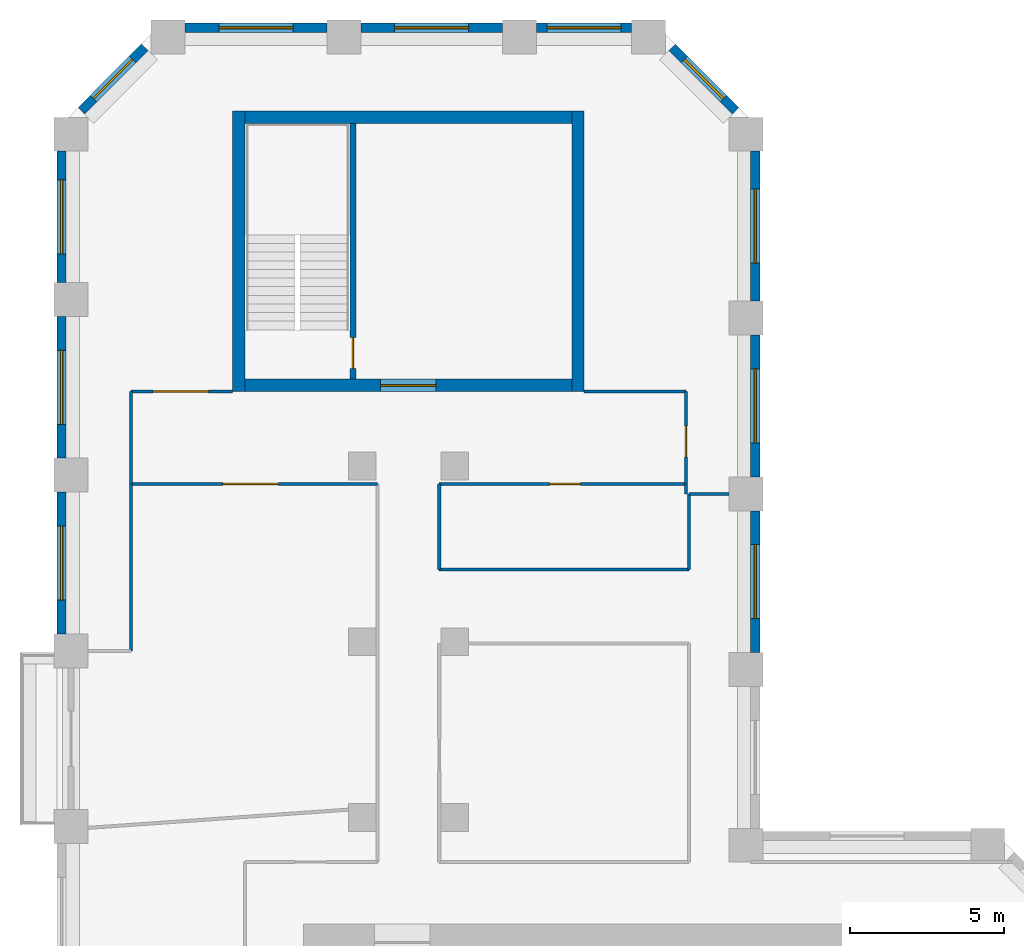
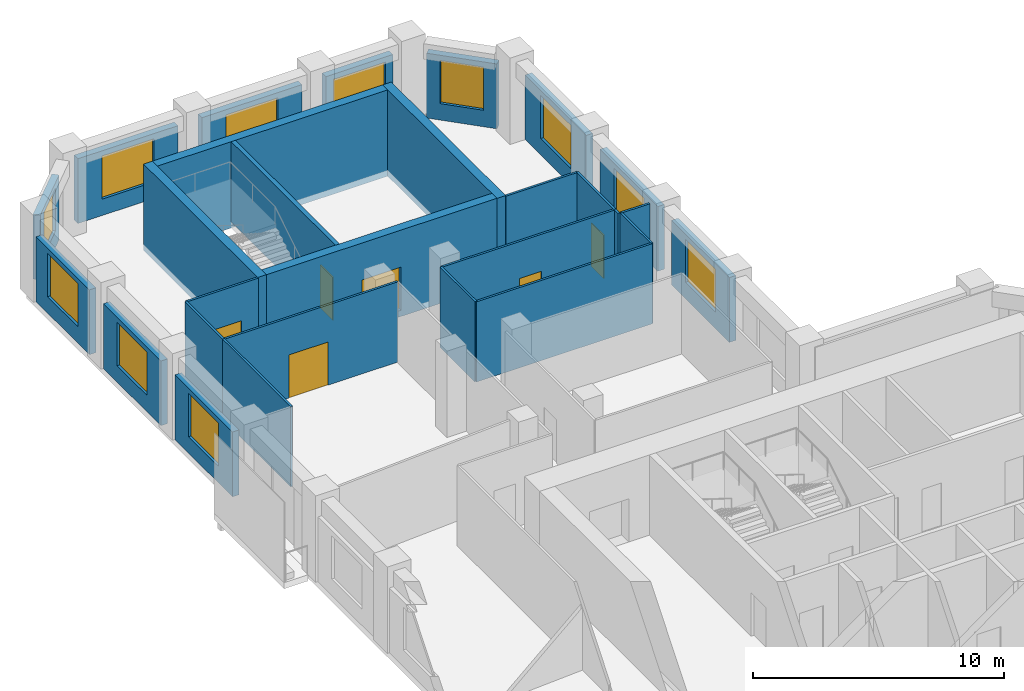
# One storey, part 8 of 10: 28 walls, 11 windows, 6 doors, 17 openings.
"""IFC4 building model written with IfcOpenShell, lengths in metres."""

from ifc_helpers import new_model, si_unit, direction, frame, frame_2d, origin, place, context, subcontext, project, spatial, rectangle, extrude, material, layer, layer_set, type_object, element, fill, save


model = new_model("IFC4")

# Units and contexts
model_context = context("Model", 3, precision=1e-05, world=origin(), true_north=direction((0.0, 1.0)))
body_context = subcontext(model_context, "Body", "Model", "MODEL_VIEW")
ifc_project = project(units=[si_unit("LENGTHUNIT", "METRE"), si_unit("AREAUNIT", "SQUARE_METRE"), si_unit("VOLUMEUNIT", "CUBIC_METRE"), si_unit("PLANEANGLEUNIT", "RADIAN"), si_unit("MASSUNIT", "GRAM", prefix="KILO")], contexts=[model_context])

# Site, building, storey
site_placement = place(None, origin())
site = spatial("IfcSite", under=ifc_project, at=site_placement, CompositionType="ELEMENT")
building_placement = place(site_placement, origin())
building = spatial("IfcBuilding", under=site, at=building_placement, Name="Meshkara Civic Tower", CompositionType="ELEMENT")
storey_placement = place(building_placement, frame((0.0, 0.0, 246.60009765625)))
storey = spatial("IfcBuildingStorey", under=building, at=storey_placement, Name="L56", CompositionType="ELEMENT", Elevation=246.60009765625)

# Wall, opening, door
ifc_material_1 = material(Name="Corridor wall 100")
ifc_layer_1 = layer(ifc_material_1, 0.10009765625)
ifc_layer_set_1 = layer_set([ifc_layer_1], Name="Corridor wall 100")
wall_type_1 = type_object("IfcWallType", Name="Corridor wall 100", PredefinedType="PARTITIONING", material=ifc_layer_set_1)
wall_1_placement = place(storey_placement, frame((2.39990234375, 51.169921875, 0.0), z_axis=(0.0, 0.0, 1.0), x_axis=(1.0, 0.0, 0.0)))
wall_1 = element("IfcWall", 1, at=wall_1_placement, inside=storey, type_object=wall_type_1, Name="L56-W001", PredefinedType="PARTITIONING", context=body_context, shape_type="SweptSolid", body=[
    extrude(rectangle(XDim=8.0, YDim=0.10009765625, at=frame_2d((4.0, 0.0))), origin(), (0.0, 0.0, 1.0), 3.89990234375),
])
opening_1_placement = place(wall_1_placement, frame((2.97998046875, 0.0, 0.0)))
opening_1 = element("IfcOpeningElement", 2, at=opening_1_placement, cuts=wall_1, Name="Opening L56-D019", PredefinedType="OPENING", context=body_context, shape_type="SweptSolid", body=[
    extrude(rectangle(XDim=1.800048828125, YDim=2.10009765625, at=frame_2d((0.89990234375, 1.050048828125))), frame((0.0, 0.06005859375, 0.0), z_axis=(0.0, -1.0, 0.0), x_axis=(1.0, 0.0, 0.0)), (0.0, 0.0, 1.0), 0.1201171875),
])
ifc_material_2 = material(Name="Door pair 1800 x 2100")
door_type_1 = type_object("IfcDoorType", Name="Door pair 1800 x 2100", OperationType="SINGLE_SWING_LEFT", PredefinedType="DOOR", material=ifc_material_2)
door_1_placement = place(opening_1_placement, origin())
door_1 = element("IfcDoor", 3, at=door_1_placement, inside=storey, type_object=door_type_1, Name="L56-D019", OperationType="DOUBLE_DOOR_SINGLE_SWING", OverallHeight=2.10009765625, OverallWidth=1.800048828125, PredefinedType="DOOR", context=body_context, shape_type="SweptSolid", body=[
    extrude(rectangle(XDim=1.800048828125, YDim=2.10009765625, at=frame_2d((0.89990234375, 1.050048828125))), frame((0.0, 0.02490234375, 0.0), z_axis=(0.0, -1.0, 0.0), x_axis=(1.0, 0.0, 0.0)), (0.0, 0.0, 1.0), 0.050048828125),
])
fill(opening_1, door_1)

# Wall
wall_2_placement = place(storey_placement, frame((2.39990234375, 54.169921875, 0.0), z_axis=(0.0, 0.0, 1.0), x_axis=(0.0, -1.0, 0.0)))
element("IfcWall", 4, at=wall_2_placement, inside=storey, type_object=wall_type_1, Name="L56-W002", PredefinedType="PARTITIONING", context=body_context, shape_type="SweptSolid", body=[
    extrude(rectangle(XDim=3.0, YDim=0.10009765625, at=frame_2d((1.5, 0.0))), origin(), (0.0, 0.0, 1.0), 3.89990234375),
])

# Wall, opening, door
wall_3_placement = place(storey_placement, frame((5.699951171875, 54.169921875, 0.0), z_axis=(0.0, 0.0, 1.0), x_axis=(-1.0, 0.0, 0.0)))
wall_3 = element("IfcWall", 5, at=wall_3_placement, inside=storey, type_object=wall_type_1, Name="L56-W003", PredefinedType="PARTITIONING", context=body_context, shape_type="SweptSolid", body=[
    extrude(rectangle(XDim=3.300048828125, YDim=0.10009765625, at=frame_2d((1.64990234375, 0.0))), origin(), (0.0, 0.0, 1.0), 3.89990234375),
])
opening_2_placement = place(wall_3_placement, frame((0.780029296875, 0.0, 0.0)))
opening_2 = element("IfcOpeningElement", 6, at=opening_2_placement, cuts=wall_3, Name="Opening L56-D022", PredefinedType="OPENING", context=body_context, shape_type="SweptSolid", body=[
    extrude(rectangle(XDim=1.800048828125, YDim=2.10009765625, at=frame_2d((0.89990234375, 1.050048828125))), frame((0.0, 0.06005859375, 0.0), z_axis=(0.0, -1.0, 0.0), x_axis=(1.0, 0.0, 0.0)), (0.0, 0.0, 1.0), 0.1201171875),
])
door_2_placement = place(opening_2_placement, origin())
door_2 = element("IfcDoor", 7, at=door_2_placement, inside=storey, type_object=door_type_1, Name="L56-D022", OperationType="DOUBLE_DOOR_SINGLE_SWING", OverallHeight=2.10009765625, OverallWidth=1.800048828125, PredefinedType="DOOR", context=body_context, shape_type="SweptSolid", body=[
    extrude(rectangle(XDim=1.800048828125, YDim=2.10009765625, at=frame_2d((0.89990234375, 1.050048828125))), frame((0.0, 0.02490234375, 0.0), z_axis=(0.0, -1.0, 0.0), x_axis=(1.0, 0.0, 0.0)), (0.0, 0.0, 1.0), 0.050048828125),
])
fill(opening_2, door_2)

# Wall
wall_4_placement = place(storey_placement, frame((12.39990234375, 48.39990234375, 0.0), z_axis=(0.0, 0.0, 1.0), x_axis=(0.0, 1.0, 0.0)))
element("IfcWall", 8, at=wall_4_placement, inside=storey, type_object=wall_type_1, Name="L56-W014", PredefinedType="PARTITIONING", context=body_context, shape_type="SweptSolid", body=[
    extrude(rectangle(XDim=2.77001953125, YDim=0.10009765625, at=frame_2d((1.385009765625, 0.0))), origin(), (0.0, 0.0, 1.0), 3.89990234375),
])

# Wall, opening, door
wall_5_placement = place(storey_placement, frame((12.39990234375, 51.169921875, 0.0), z_axis=(0.0, 0.0, 1.0), x_axis=(1.0, 0.0, 0.0)))
wall_5 = element("IfcWall", 9, at=wall_5_placement, inside=storey, type_object=wall_type_1, Name="L56-W015", PredefinedType="PARTITIONING", context=body_context, shape_type="SweptSolid", body=[
    extrude(rectangle(XDim=8.0, YDim=0.10009765625, at=frame_2d((4.0, 0.0))), origin(), (0.0, 0.0, 1.0), 3.89990234375),
])
opening_3_placement = place(wall_5_placement, frame((3.580078125, 0.0, 0.0)))
opening_3 = element("IfcOpeningElement", 10, at=opening_3_placement, cuts=wall_5, Name="Opening L56-D020", PredefinedType="OPENING", context=body_context, shape_type="SweptSolid", body=[
    extrude(rectangle(XDim=1.0, YDim=2.10009765625, at=frame_2d((0.5, 1.050048828125))), frame((0.0, 0.06005859375, 0.0), z_axis=(0.0, -1.0, 0.0), x_axis=(1.0, 0.0, 0.0)), (0.0, 0.0, 1.0), 0.1201171875),
])
ifc_material_3 = material(Name="Door 1000 x 2100")
door_type_2 = type_object("IfcDoorType", Name="Door 1000 x 2100", OperationType="SINGLE_SWING_LEFT", PredefinedType="DOOR", material=ifc_material_3)
door_3_placement = place(opening_3_placement, origin())
door_3 = element("IfcDoor", 11, at=door_3_placement, inside=storey, type_object=door_type_2, Name="L56-D020", OperationType="SINGLE_SWING_LEFT", OverallHeight=2.10009765625, OverallWidth=1.0, PredefinedType="DOOR", context=body_context, shape_type="SweptSolid", body=[
    extrude(rectangle(XDim=1.0, YDim=2.10009765625, at=frame_2d((0.5, 1.050048828125))), frame((0.0, 0.02490234375, 0.0), z_axis=(0.0, -1.0, 0.0), x_axis=(1.0, 0.0, 0.0)), (0.0, 0.0, 1.0), 0.050048828125),
])
fill(opening_3, door_3)

wall_6_placement = place(storey_placement, frame((20.39990234375, 51.169921875, 0.0), z_axis=(0.0, 0.0, 1.0), x_axis=(0.0, 1.0, 0.0)))
wall_6 = element("IfcWall", 12, at=wall_6_placement, inside=storey, type_object=wall_type_1, Name="L56-W018", PredefinedType="PARTITIONING", context=body_context, shape_type="SweptSolid", body=[
    extrude(rectangle(XDim=3.0, YDim=0.10009765625, at=frame_2d((1.5, 0.0))), origin(), (0.0, 0.0, 1.0), 3.89990234375),
])
opening_4_placement = place(wall_6_placement, frame((0.8798828125, 0.0, 0.0)))
opening_4 = element("IfcOpeningElement", 13, at=opening_4_placement, cuts=wall_6, Name="Opening L56-D021", PredefinedType="OPENING", context=body_context, shape_type="SweptSolid", body=[
    extrude(rectangle(XDim=1.0, YDim=2.10009765625, at=frame_2d((0.5, 1.050048828125))), frame((0.0, 0.06005859375, 0.0), z_axis=(0.0, -1.0, 0.0), x_axis=(1.0, 0.0, 0.0)), (0.0, 0.0, 1.0), 0.1201171875),
])
door_4_placement = place(opening_4_placement, origin())
door_4 = element("IfcDoor", 14, at=door_4_placement, inside=storey, type_object=door_type_2, Name="L56-D021", OperationType="SINGLE_SWING_RIGHT", OverallHeight=2.10009765625, OverallWidth=1.0, PredefinedType="DOOR", context=body_context, shape_type="SweptSolid", body=[
    extrude(rectangle(XDim=1.0, YDim=2.10009765625, at=frame_2d((0.5, 1.050048828125))), frame((0.0, 0.02490234375, 0.0), z_axis=(0.0, -1.0, 0.0), x_axis=(1.0, 0.0, 0.0)), (0.0, 0.0, 1.0), 0.050048828125),
])
fill(opening_4, door_4)

# Walls
wall_7_placement = place(storey_placement, frame((20.39990234375, 54.169921875, 0.0), z_axis=(0.0, 0.0, 1.0), x_axis=(-1.0, 0.0, 0.0)))
element("IfcWall", 15, at=wall_7_placement, inside=storey, type_object=wall_type_1, Name="L56-W019", PredefinedType="PARTITIONING", context=body_context, shape_type="SweptSolid", body=[
    extrude(rectangle(XDim=3.2998046875, YDim=0.10009765625, at=frame_2d((1.64990234375, 0.0))), origin(), (0.0, 0.0, 1.0), 3.89990234375),
])
wall_8_placement = place(storey_placement, frame((20.5, 48.39990234375, 0.0), z_axis=(0.0, 0.0, 1.0), x_axis=(-1.0, 0.0, 0.0)))
element("IfcWall", 16, at=wall_8_placement, inside=storey, type_object=wall_type_1, Name="L56-W022", PredefinedType="PARTITIONING", context=body_context, shape_type="SweptSolid", body=[
    extrude(rectangle(XDim=8.10009765625, YDim=0.10009765625, at=frame_2d((4.050048828125, 0.0))), origin(), (0.0, 0.0, 1.0), 3.89990234375),
])
wall_9_placement = place(storey_placement, frame((20.5, 50.85009765625, 0.0), z_axis=(0.0, 0.0, 1.0), x_axis=(0.0, -1.0, 0.0)))
element("IfcWall", 17, at=wall_9_placement, inside=storey, type_object=wall_type_1, Name="L56-W023", PredefinedType="PARTITIONING", context=body_context, shape_type="SweptSolid", body=[
    extrude(rectangle(XDim=2.4501953125, YDim=0.10009765625, at=frame_2d((1.22509765625, 0.0))), origin(), (0.0, 0.0, 1.0), 3.89990234375),
])
wall_10_placement = place(storey_placement, frame((21.800048828125, 50.85009765625, 0.0), z_axis=(0.0, 0.0, 1.0), x_axis=(-1.0, 0.0, 0.0)))
element("IfcWall", 18, at=wall_10_placement, inside=storey, type_object=wall_type_1, Name="L56-W024", PredefinedType="PARTITIONING", context=body_context, shape_type="SweptSolid", body=[
    extrude(rectangle(XDim=1.300048828125, YDim=0.10009765625, at=frame_2d((0.64990234375, 0.0))), origin(), (0.0, 0.0, 1.0), 3.89990234375),
])

# Wall, opening, window
ifc_material_4 = material(Name="Insulated infill panel with bronze anodised aluminium cladding", Category="aluminium")
ifc_layer_2 = layer(ifc_material_4, 0.300048828125)
ifc_layer_set_2 = layer_set([ifc_layer_2], Name="EXTERNAL INFILL WALL 300")
wall_type_2 = type_object("IfcWallType", Name="EXTERNAL INFILL WALL 300", PredefinedType="SOLIDWALL", material=ifc_layer_set_2)
wall_11_placement = place(storey_placement, frame((22.64990234375, 45.699951171875, 0.0), z_axis=(0.0, 0.0, 1.0), x_axis=(0.0, 1.0, 0.0)))
wall_11 = element("IfcWall", 19, at=wall_11_placement, inside=storey, type_object=wall_type_2, Name="External wall", PredefinedType="SOLIDWALL", context=body_context, shape_type="SweptSolid", body=[
    extrude(rectangle(XDim=4.60009765625, YDim=0.300048828125, at=frame_2d((2.300048828125, 0.0))), origin(), (0.0, 0.0, 1.0), 3.14990234375),
])
opening_5_placement = place(wall_11_placement, frame((1.10009765625, 0.0, 0.800048828125)))
opening_5 = element("IfcOpeningElement", 20, at=opening_5_placement, cuts=wall_11, Name="Opening W7", PredefinedType="OPENING", context=body_context, shape_type="SweptSolid", body=[
    extrude(rectangle(XDim=2.39990234375, YDim=2.10009765625, at=frame_2d((1.199951171875, 1.050048828125))), frame((0.0, 0.159912109375, 0.0), z_axis=(0.0, -1.0, 0.0), x_axis=(1.0, 0.0, 0.0)), (0.0, 0.0, 1.0), 0.320068359375),
])
ifc_material_5 = material(Name="Tinted double glazing", Category="glass")
window_type_1 = type_object("IfcWindowType", Name="WINDOW 2400x2100", PartitioningType="DOUBLE_PANEL_VERTICAL", PredefinedType="WINDOW", material=ifc_material_5)
window_1_placement = place(opening_5_placement, origin())
window_1 = element("IfcWindow", 21, at=window_1_placement, inside=storey, type_object=window_type_1, Name="Window", OverallHeight=2.10009765625, OverallWidth=2.39990234375, PartitioningType="DOUBLE_PANEL_VERTICAL", PredefinedType="WINDOW", context=body_context, shape_type="SweptSolid", body=[
    extrude(rectangle(XDim=2.39990234375, YDim=2.10009765625, at=frame_2d((1.199951171875, 1.050048828125))), frame((0.0, 0.030029296875, 0.0), z_axis=(0.0, -1.0, 0.0), x_axis=(1.0, 0.0, 0.0)), (0.0, 0.0, 1.0), 0.06005859375),
])
fill(opening_5, window_1)

wall_12_placement = place(storey_placement, frame((22.64990234375, 51.39990234375, 0.0), z_axis=(0.0, 0.0, 1.0), x_axis=(0.0, 1.0, 0.0)))
wall_12 = element("IfcWall", 22, at=wall_12_placement, inside=storey, type_object=wall_type_2, Name="External wall", PredefinedType="SOLIDWALL", context=body_context, shape_type="SweptSolid", body=[
    extrude(rectangle(XDim=4.60009765625, YDim=0.300048828125, at=frame_2d((2.300048828125, 0.0))), origin(), (0.0, 0.0, 1.0), 3.14990234375),
])
opening_6_placement = place(wall_12_placement, frame((1.10009765625, 0.0, 0.800048828125)))
opening_6 = element("IfcOpeningElement", 23, at=opening_6_placement, cuts=wall_12, Name="Opening W7", PredefinedType="OPENING", context=body_context, shape_type="SweptSolid", body=[
    extrude(rectangle(XDim=2.39990234375, YDim=2.10009765625, at=frame_2d((1.199951171875, 1.050048828125))), frame((0.0, 0.159912109375, 0.0), z_axis=(0.0, -1.0, 0.0), x_axis=(1.0, 0.0, 0.0)), (0.0, 0.0, 1.0), 0.320068359375),
])
window_2_placement = place(opening_6_placement, origin())
window_2 = element("IfcWindow", 24, at=window_2_placement, inside=storey, type_object=window_type_1, Name="Window", OverallHeight=2.10009765625, OverallWidth=2.39990234375, PartitioningType="DOUBLE_PANEL_VERTICAL", PredefinedType="WINDOW", context=body_context, shape_type="SweptSolid", body=[
    extrude(rectangle(XDim=2.39990234375, YDim=2.10009765625, at=frame_2d((1.199951171875, 1.050048828125))), frame((0.0, 0.030029296875, 0.0), z_axis=(0.0, -1.0, 0.0), x_axis=(1.0, 0.0, 0.0)), (0.0, 0.0, 1.0), 0.06005859375),
])
fill(opening_6, window_2)

wall_13_placement = place(storey_placement, frame((22.64990234375, 57.10009765625, 0.0), z_axis=(0.0, 0.0, 1.0), x_axis=(0.0, 1.0, 0.0)))
wall_13 = element("IfcWall", 25, at=wall_13_placement, inside=storey, type_object=wall_type_2, Name="External wall", PredefinedType="SOLIDWALL", context=body_context, shape_type="SweptSolid", body=[
    extrude(rectangle(XDim=4.864013671875, YDim=0.300048828125, at=frame_2d((2.43212890625, 0.0))), origin(), (0.0, 0.0, 1.0), 3.14990234375),
])
opening_7_placement = place(wall_13_placement, frame((1.23193359375, 0.0, 0.800048828125)))
opening_7 = element("IfcOpeningElement", 26, at=opening_7_placement, cuts=wall_13, Name="Opening W7", PredefinedType="OPENING", context=body_context, shape_type="SweptSolid", body=[
    extrude(rectangle(XDim=2.39990234375, YDim=2.10009765625, at=frame_2d((1.199951171875, 1.050048828125))), frame((0.0, 0.159912109375, 0.0), z_axis=(0.0, -1.0, 0.0), x_axis=(1.0, 0.0, 0.0)), (0.0, 0.0, 1.0), 0.320068359375),
])
window_3_placement = place(opening_7_placement, origin())
window_3 = element("IfcWindow", 27, at=window_3_placement, inside=storey, type_object=window_type_1, Name="Window", OverallHeight=2.10009765625, OverallWidth=2.39990234375, PartitioningType="DOUBLE_PANEL_VERTICAL", PredefinedType="WINDOW", context=body_context, shape_type="SweptSolid", body=[
    extrude(rectangle(XDim=2.39990234375, YDim=2.10009765625, at=frame_2d((1.199951171875, 1.050048828125))), frame((0.0, 0.030029296875, 0.0), z_axis=(0.0, -1.0, 0.0), x_axis=(1.0, 0.0, 0.0)), (0.0, 0.0, 1.0), 0.06005859375),
])
fill(opening_7, window_3)

wall_14_placement = place(storey_placement, frame((22.011962890625, 63.27587890625, 0.0), z_axis=(0.0, 0.0, 1.0), x_axis=(-0.707064797706, 0.707148762175, 0.0)))
wall_14 = element("IfcWall", 28, at=wall_14_placement, inside=storey, type_object=wall_type_2, Name="External wall", PredefinedType="SOLIDWALL", context=body_context, shape_type="SweptSolid", body=[
    extrude(rectangle(XDim=2.90771484375, YDim=0.300048828125, at=frame_2d((1.453857421875, 0.0))), origin(), (0.0, 0.0, 1.0), 3.14990234375),
])
opening_8_placement = place(wall_14_placement, frame((0.553955078125, 0.0, 0.800048828125)))
opening_8 = element("IfcOpeningElement", 29, at=opening_8_placement, cuts=wall_14, Name="Opening W9", PredefinedType="OPENING", context=body_context, shape_type="SweptSolid", body=[
    extrude(rectangle(XDim=1.800048828125, YDim=2.10009765625, at=frame_2d((0.89990234375, 1.050048828125))), frame((0.0, 0.159912109375, 0.0), z_axis=(0.0, -1.0, 0.0), x_axis=(1.0, 0.0, 0.0)), (0.0, 0.0, 1.0), 0.320068359375),
])
ifc_material_6 = material(Name="Tinted double glazing", Category="glass")
window_type_2 = type_object("IfcWindowType", Name="WINDOW 1800x2100", PartitioningType="DOUBLE_PANEL_VERTICAL", PredefinedType="WINDOW", material=ifc_material_6)
window_4_placement = place(opening_8_placement, origin())
window_4 = element("IfcWindow", 30, at=window_4_placement, inside=storey, type_object=window_type_2, Name="Window", OverallHeight=2.10009765625, OverallWidth=1.800048828125, PartitioningType="DOUBLE_PANEL_VERTICAL", PredefinedType="WINDOW", context=body_context, shape_type="SweptSolid", body=[
    extrude(rectangle(XDim=1.800048828125, YDim=2.10009765625, at=frame_2d((0.89990234375, 1.050048828125))), frame((0.0, 0.030029296875, 0.0), z_axis=(0.0, -1.0, 0.0), x_axis=(1.0, 0.0, 0.0)), (0.0, 0.0, 1.0), 0.06005859375),
])
fill(opening_8, window_4)

wall_15_placement = place(storey_placement, frame((18.64404296875, 65.969970703125, 0.0), z_axis=(0.0, 0.0, 1.0), x_axis=(-1.0, 0.0, 0.0)))
wall_15 = element("IfcWall", 31, at=wall_15_placement, inside=storey, type_object=wall_type_2, Name="External wall", PredefinedType="SOLIDWALL", context=body_context, shape_type="SweptSolid", body=[
    extrude(rectangle(XDim=3.088134765625, YDim=0.300048828125, at=frame_2d((1.5439453125, 0.0))), origin(), (0.0, 0.0, 1.0), 3.14990234375),
])
opening_9_placement = place(wall_15_placement, frame((0.343994140625, 0.0, 0.800048828125)))
opening_9 = element("IfcOpeningElement", 32, at=opening_9_placement, cuts=wall_15, Name="Opening W7", PredefinedType="OPENING", context=body_context, shape_type="SweptSolid", body=[
    extrude(rectangle(XDim=2.39990234375, YDim=2.10009765625, at=frame_2d((1.199951171875, 1.050048828125))), frame((0.0, 0.159912109375, 0.0), z_axis=(0.0, -1.0, 0.0), x_axis=(1.0, 0.0, 0.0)), (0.0, 0.0, 1.0), 0.320068359375),
])
window_5_placement = place(opening_9_placement, origin())
window_5 = element("IfcWindow", 33, at=window_5_placement, inside=storey, type_object=window_type_1, Name="Window", OverallHeight=2.10009765625, OverallWidth=2.39990234375, PartitioningType="DOUBLE_PANEL_VERTICAL", PredefinedType="WINDOW", context=body_context, shape_type="SweptSolid", body=[
    extrude(rectangle(XDim=2.39990234375, YDim=2.10009765625, at=frame_2d((1.199951171875, 1.050048828125))), frame((0.0, 0.030029296875, 0.0), z_axis=(0.0, -1.0, 0.0), x_axis=(1.0, 0.0, 0.0)), (0.0, 0.0, 1.0), 0.06005859375),
])
fill(opening_9, window_5)

wall_16_placement = place(storey_placement, frame((14.4560546875, 65.969970703125, 0.0), z_axis=(0.0, 0.0, 1.0), x_axis=(-1.0, 0.0, 0.0)))
wall_16 = element("IfcWall", 34, at=wall_16_placement, inside=storey, type_object=wall_type_2, Name="External wall", PredefinedType="SOLIDWALL", context=body_context, shape_type="SweptSolid", body=[
    extrude(rectangle(XDim=4.60009765625, YDim=0.300048828125, at=frame_2d((2.300048828125, 0.0))), origin(), (0.0, 0.0, 1.0), 3.14990234375),
])
opening_10_placement = place(wall_16_placement, frame((1.10009765625, 0.0, 0.800048828125)))
opening_10 = element("IfcOpeningElement", 35, at=opening_10_placement, cuts=wall_16, Name="Opening W7", PredefinedType="OPENING", context=body_context, shape_type="SweptSolid", body=[
    extrude(rectangle(XDim=2.39990234375, YDim=2.10009765625, at=frame_2d((1.199951171875, 1.050048828125))), frame((0.0, 0.159912109375, 0.0), z_axis=(0.0, -1.0, 0.0), x_axis=(1.0, 0.0, 0.0)), (0.0, 0.0, 1.0), 0.320068359375),
])
window_6_placement = place(opening_10_placement, origin())
window_6 = element("IfcWindow", 36, at=window_6_placement, inside=storey, type_object=window_type_1, Name="Window", OverallHeight=2.10009765625, OverallWidth=2.39990234375, PartitioningType="DOUBLE_PANEL_VERTICAL", PredefinedType="WINDOW", context=body_context, shape_type="SweptSolid", body=[
    extrude(rectangle(XDim=2.39990234375, YDim=2.10009765625, at=frame_2d((1.199951171875, 1.050048828125))), frame((0.0, 0.030029296875, 0.0), z_axis=(0.0, -1.0, 0.0), x_axis=(1.0, 0.0, 0.0)), (0.0, 0.0, 1.0), 0.06005859375),
])
fill(opening_10, window_6)

wall_17_placement = place(storey_placement, frame((8.756103515625, 65.969970703125, 0.0), z_axis=(0.0, 0.0, 1.0), x_axis=(-1.0, 0.0, 0.0)))
wall_17 = element("IfcWall", 37, at=wall_17_placement, inside=storey, type_object=wall_type_2, Name="External wall", PredefinedType="SOLIDWALL", context=body_context, shape_type="SweptSolid", body=[
    extrude(rectangle(XDim=4.60009765625, YDim=0.300048828125, at=frame_2d((2.300048828125, 0.0))), origin(), (0.0, 0.0, 1.0), 3.14990234375),
])
opening_11_placement = place(wall_17_placement, frame((1.10009765625, 0.0, 0.800048828125)))
opening_11 = element("IfcOpeningElement", 38, at=opening_11_placement, cuts=wall_17, Name="Opening W7", PredefinedType="OPENING", context=body_context, shape_type="SweptSolid", body=[
    extrude(rectangle(XDim=2.39990234375, YDim=2.10009765625, at=frame_2d((1.199951171875, 1.050048828125))), frame((0.0, 0.159912109375, 0.0), z_axis=(0.0, -1.0, 0.0), x_axis=(1.0, 0.0, 0.0)), (0.0, 0.0, 1.0), 0.320068359375),
])
window_7_placement = place(opening_11_placement, origin())
window_7 = element("IfcWindow", 39, at=window_7_placement, inside=storey, type_object=window_type_1, Name="Window", OverallHeight=2.10009765625, OverallWidth=2.39990234375, PartitioningType="DOUBLE_PANEL_VERTICAL", PredefinedType="WINDOW", context=body_context, shape_type="SweptSolid", body=[
    extrude(rectangle(XDim=2.39990234375, YDim=2.10009765625, at=frame_2d((1.199951171875, 1.050048828125))), frame((0.0, 0.030029296875, 0.0), z_axis=(0.0, -1.0, 0.0), x_axis=(1.0, 0.0, 0.0)), (0.0, 0.0, 1.0), 0.06005859375),
])
fill(opening_11, window_7)

wall_18_placement = place(storey_placement, frame((2.843994140625, 65.33203125, 0.0), z_axis=(0.0, 0.0, 1.0), x_axis=(-0.707064797706, -0.707148762175, 0.0)))
wall_18 = element("IfcWall", 40, at=wall_18_placement, inside=storey, type_object=wall_type_2, Name="External wall", PredefinedType="SOLIDWALL", context=body_context, shape_type="SweptSolid", body=[
    extrude(rectangle(XDim=2.90771484375, YDim=0.300048828125, at=frame_2d((1.453857421875, 0.0))), origin(), (0.0, 0.0, 1.0), 3.14990234375),
])
opening_12_placement = place(wall_18_placement, frame((0.553955078125, 0.0, 0.800048828125)))
opening_12 = element("IfcOpeningElement", 41, at=opening_12_placement, cuts=wall_18, Name="Opening W9", PredefinedType="OPENING", context=body_context, shape_type="SweptSolid", body=[
    extrude(rectangle(XDim=1.800048828125, YDim=2.10009765625, at=frame_2d((0.89990234375, 1.050048828125))), frame((0.0, 0.159912109375, 0.0), z_axis=(0.0, -1.0, 0.0), x_axis=(1.0, 0.0, 0.0)), (0.0, 0.0, 1.0), 0.320068359375),
])
window_8_placement = place(opening_12_placement, origin())
window_8 = element("IfcWindow", 42, at=window_8_placement, inside=storey, type_object=window_type_2, Name="Window", OverallHeight=2.10009765625, OverallWidth=1.800048828125, PartitioningType="DOUBLE_PANEL_VERTICAL", PredefinedType="WINDOW", context=body_context, shape_type="SweptSolid", body=[
    extrude(rectangle(XDim=1.800048828125, YDim=2.10009765625, at=frame_2d((0.89990234375, 1.050048828125))), frame((0.0, 0.030029296875, 0.0), z_axis=(0.0, -1.0, 0.0), x_axis=(1.0, 0.0, 0.0)), (0.0, 0.0, 1.0), 0.06005859375),
])
fill(opening_12, window_8)

wall_19_placement = place(storey_placement, frame((0.14990234375, 61.964111328125, 0.0), z_axis=(0.0, 0.0, 1.0), x_axis=(0.0, -1.0, 0.0)))
wall_19 = element("IfcWall", 43, at=wall_19_placement, inside=storey, type_object=wall_type_2, Name="External wall", PredefinedType="SOLIDWALL", context=body_context, shape_type="SweptSolid", body=[
    extrude(rectangle(XDim=4.259033203125, YDim=0.300048828125, at=frame_2d((2.12939453125, 0.0))), origin(), (0.0, 0.0, 1.0), 3.14990234375),
])
opening_13_placement = place(wall_19_placement, frame((0.929931640625, 0.0, 0.800048828125)))
opening_13 = element("IfcOpeningElement", 44, at=opening_13_placement, cuts=wall_19, Name="Opening W7", PredefinedType="OPENING", context=body_context, shape_type="SweptSolid", body=[
    extrude(rectangle(XDim=2.39990234375, YDim=2.10009765625, at=frame_2d((1.199951171875, 1.050048828125))), frame((0.0, 0.159912109375, 0.0), z_axis=(0.0, -1.0, 0.0), x_axis=(1.0, 0.0, 0.0)), (0.0, 0.0, 1.0), 0.320068359375),
])
window_9_placement = place(opening_13_placement, origin())
window_9 = element("IfcWindow", 45, at=window_9_placement, inside=storey, type_object=window_type_1, Name="Window", OverallHeight=2.10009765625, OverallWidth=2.39990234375, PartitioningType="DOUBLE_PANEL_VERTICAL", PredefinedType="WINDOW", context=body_context, shape_type="SweptSolid", body=[
    extrude(rectangle(XDim=2.39990234375, YDim=2.10009765625, at=frame_2d((1.199951171875, 1.050048828125))), frame((0.0, 0.030029296875, 0.0), z_axis=(0.0, -1.0, 0.0), x_axis=(1.0, 0.0, 0.0)), (0.0, 0.0, 1.0), 0.06005859375),
])
fill(opening_13, window_9)

wall_20_placement = place(storey_placement, frame((0.14990234375, 56.60498046875, 0.0), z_axis=(0.0, 0.0, 1.0), x_axis=(0.0, -1.0, 0.0)))
wall_20 = element("IfcWall", 46, at=wall_20_placement, inside=storey, type_object=wall_type_2, Name="External wall", PredefinedType="SOLIDWALL", context=body_context, shape_type="SweptSolid", body=[
    extrude(rectangle(XDim=4.60009765625, YDim=0.300048828125, at=frame_2d((2.300048828125, 0.0))), origin(), (0.0, 0.0, 1.0), 3.14990234375),
])
opening_14_placement = place(wall_20_placement, frame((1.10009765625, 0.0, 0.800048828125)))
opening_14 = element("IfcOpeningElement", 47, at=opening_14_placement, cuts=wall_20, Name="Opening W7", PredefinedType="OPENING", context=body_context, shape_type="SweptSolid", body=[
    extrude(rectangle(XDim=2.39990234375, YDim=2.10009765625, at=frame_2d((1.199951171875, 1.050048828125))), frame((0.0, 0.159912109375, 0.0), z_axis=(0.0, -1.0, 0.0), x_axis=(1.0, 0.0, 0.0)), (0.0, 0.0, 1.0), 0.320068359375),
])
window_10_placement = place(opening_14_placement, origin())
window_10 = element("IfcWindow", 48, at=window_10_placement, inside=storey, type_object=window_type_1, Name="Window", OverallHeight=2.10009765625, OverallWidth=2.39990234375, PartitioningType="DOUBLE_PANEL_VERTICAL", PredefinedType="WINDOW", context=body_context, shape_type="SweptSolid", body=[
    extrude(rectangle(XDim=2.39990234375, YDim=2.10009765625, at=frame_2d((1.199951171875, 1.050048828125))), frame((0.0, 0.030029296875, 0.0), z_axis=(0.0, -1.0, 0.0), x_axis=(1.0, 0.0, 0.0)), (0.0, 0.0, 1.0), 0.06005859375),
])
fill(opening_14, window_10)

wall_21_placement = place(storey_placement, frame((0.14990234375, 50.905029296875, 0.0), z_axis=(0.0, 0.0, 1.0), x_axis=(0.0, -1.0, 0.0)))
wall_21 = element("IfcWall", 49, at=wall_21_placement, inside=storey, type_object=wall_type_2, Name="External wall", PredefinedType="SOLIDWALL", context=body_context, shape_type="SweptSolid", body=[
    extrude(rectangle(XDim=4.60009765625, YDim=0.300048828125, at=frame_2d((2.300048828125, 0.0))), origin(), (0.0, 0.0, 1.0), 3.14990234375),
])
opening_15_placement = place(wall_21_placement, frame((1.10009765625, 0.0, 0.800048828125)))
opening_15 = element("IfcOpeningElement", 50, at=opening_15_placement, cuts=wall_21, Name="Opening W7", PredefinedType="OPENING", context=body_context, shape_type="SweptSolid", body=[
    extrude(rectangle(XDim=2.39990234375, YDim=2.10009765625, at=frame_2d((1.199951171875, 1.050048828125))), frame((0.0, 0.159912109375, 0.0), z_axis=(0.0, -1.0, 0.0), x_axis=(1.0, 0.0, 0.0)), (0.0, 0.0, 1.0), 0.320068359375),
])
window_11_placement = place(opening_15_placement, origin())
window_11 = element("IfcWindow", 51, at=window_11_placement, inside=storey, type_object=window_type_1, Name="Window", OverallHeight=2.10009765625, OverallWidth=2.39990234375, PartitioningType="DOUBLE_PANEL_VERTICAL", PredefinedType="WINDOW", context=body_context, shape_type="SweptSolid", body=[
    extrude(rectangle(XDim=2.39990234375, YDim=2.10009765625, at=frame_2d((1.199951171875, 1.050048828125))), frame((0.0, 0.030029296875, 0.0), z_axis=(0.0, -1.0, 0.0), x_axis=(1.0, 0.0, 0.0)), (0.0, 0.0, 1.0), 0.06005859375),
])
fill(opening_15, window_11)

# Walls
ifc_material_7 = material(Name="Concrete C60", Category="concrete")
ifc_layer_3 = layer(ifc_material_7, 0.39990234375)
ifc_layer_set_3 = layer_set([ifc_layer_3], Name="End core ring wall 400 C60")
wall_type_3 = type_object("IfcWallType", Name="End core ring wall 400 C60", PredefinedType="SHEAR", material=ifc_layer_set_3)
for number, where, z_axis, x_axis, name in (
    (52, (5.89990234375, 54.169921875, -0.300048828125), (0.0, 0.0, 1.0), (0.0, 1.0, 0.0), "L56-C023"),
    (53, (16.89990234375, 54.169921875, -0.300048828125), (0.0, 0.0, 1.0), (0.0, 1.0, 0.0), "L56-C024"),
):
    element("IfcWall", number, at=place(storey_placement, frame(where, z_axis=z_axis, x_axis=x_axis)), inside=storey, type_object=wall_type_3, Name=name, PredefinedType="SHEAR", context=body_context, shape_type="SweptSolid", body=[
        extrude(rectangle(XDim=9.10009765625, YDim=0.39990234375, at=frame_2d((4.550048828125, 0.0))), origin(), (0.0, 0.0, 1.0), 4.199951171875),
    ])

# Wall, opening, door
wall_22_placement = place(storey_placement, frame((6.10009765625, 54.3701171875, -0.300048828125), z_axis=(0.0, 0.0, 1.0), x_axis=(1.0, 0.0, 0.0)))
wall_22 = element("IfcWall", 54, at=wall_22_placement, inside=storey, type_object=wall_type_3, Name="L56-C025", PredefinedType="SHEAR", context=body_context, shape_type="SweptSolid", body=[
    extrude(rectangle(XDim=10.599853515625, YDim=0.39990234375, at=frame_2d((5.2998046875, 0.0))), origin(), (0.0, 0.0, 1.0), 4.199951171875),
])
opening_16_placement = place(wall_22_placement, frame((4.39990234375, 0.0, 0.300048828125)))
opening_16 = element("IfcOpeningElement", 55, at=opening_16_placement, cuts=wall_22, Name="Opening L56-K102", PredefinedType="OPENING", context=body_context, shape_type="SweptSolid", body=[
    extrude(rectangle(XDim=1.800048828125, YDim=2.10009765625, at=frame_2d((0.89990234375, 1.050048828125))), frame((0.0, 0.2099609375, 0.0), z_axis=(0.0, -1.0, 0.0), x_axis=(1.0, 0.0, 0.0)), (0.0, 0.0, 1.0), 0.419921875),
])
ifc_material_8 = material(Name="Fire-rated door leaf in steel frame", Category="steel")
door_type_3 = type_object("IfcDoorType", Name="Core double door 1800 EI 60", OperationType="DOUBLE_DOOR_SINGLE_SWING", PredefinedType="DOOR", material=ifc_material_8)
door_5_placement = place(opening_16_placement, origin())
door_5 = element("IfcDoor", 56, at=door_5_placement, inside=storey, type_object=door_type_3, Name="L56-K102", OperationType="DOUBLE_DOOR_SINGLE_SWING", OverallHeight=2.10009765625, OverallWidth=1.800048828125, PredefinedType="DOOR", context=body_context, shape_type="SweptSolid", body=[
    extrude(rectangle(XDim=1.800048828125, YDim=2.10009765625, at=frame_2d((0.89990234375, 1.050048828125))), frame((0.0, 0.02490234375, 0.0), z_axis=(0.0, -1.0, 0.0), x_axis=(1.0, 0.0, 0.0)), (0.0, 0.0, 1.0), 0.050048828125),
])
fill(opening_16, door_5)

# Walls
wall_23_placement = place(storey_placement, frame((6.10009765625, 63.070068359375, -0.300048828125), z_axis=(0.0, 0.0, 1.0), x_axis=(1.0, 0.0, 0.0)))
element("IfcWall", 57, at=wall_23_placement, inside=storey, type_object=wall_type_3, Name="L56-C026", PredefinedType="SHEAR", context=body_context, shape_type="SweptSolid", body=[
    extrude(rectangle(XDim=10.599853515625, YDim=0.39990234375, at=frame_2d((5.2998046875, 0.0))), origin(), (0.0, 0.0, 1.0), 4.199951171875),
])
ifc_material_9 = material(Name="Partition 100")
ifc_layer_4 = layer(ifc_material_9, 0.10009765625)
ifc_layer_set_4 = layer_set([ifc_layer_4], Name="Partition 100")
wall_type_4 = type_object("IfcWallType", Name="Partition 100", PredefinedType="PARTITIONING", material=ifc_layer_set_4)
wall_24_placement = place(storey_placement, frame((2.39990234375, 51.174072265625, 0.0), z_axis=(0.0, 0.0, 1.0), x_axis=(0.0, -1.0, 0.0)))
element("IfcWall", 58, at=wall_24_placement, inside=storey, type_object=wall_type_4, Name="L56-W039", PredefinedType="PARTITIONING", context=body_context, shape_type="SweptSolid", body=[
    extrude(rectangle(XDim=5.419189453125, YDim=0.10009765625, at=frame_2d((2.70947265625, 0.0))), origin(), (0.0, 0.0, 1.0), 3.89990234375),
])
wall_25_placement = place(storey_placement, frame((20.39990234375, 50.85009765625, 0.0), z_axis=(0.0, 0.0, 1.0), x_axis=(0.0, 1.0, 0.0)))
element("IfcWall", 59, at=wall_25_placement, inside=storey, type_object=wall_type_4, Name="L56-W048", PredefinedType="PARTITIONING", context=body_context, shape_type="SweptSolid", body=[
    extrude(rectangle(XDim=0.323974609375, YDim=0.10009765625, at=frame_2d((0.162109375, 0.0))), origin(), (0.0, 0.0, 1.0), 3.89990234375),
])

# Wall, opening, door
ifc_material_10 = material(Name="Concrete C40/50", Category="concrete")
ifc_layer_5 = layer(ifc_material_10, 0.199951171875)
ifc_layer_set_5 = layer_set([ifc_layer_5], Name="Stair enclosure wall 200 C40/50")
wall_type_5 = type_object("IfcWallType", Name="Stair enclosure wall 200 C40/50", PredefinedType="SOLIDWALL", material=ifc_layer_set_5)
wall_26_placement = place(storey_placement, frame((9.60009765625, 54.570068359375, 0.0), z_axis=(0.0, 0.0, 1.0), x_axis=(0.0, 1.0, 0.0)))
wall_26 = element("IfcWall", 60, at=wall_26_placement, inside=storey, type_object=wall_type_5, Name="L56-C027", PredefinedType="SOLIDWALL", context=body_context, shape_type="SweptSolid", body=[
    extrude(rectangle(XDim=8.300048828125, YDim=0.199951171875, at=frame_2d((4.14990234375, 0.0))), origin(), (0.0, 0.0, 1.0), 3.89990234375),
])
opening_17_placement = place(wall_26_placement, frame((0.35009765625, 0.0, 0.0)))
opening_17 = element("IfcOpeningElement", 61, at=opening_17_placement, cuts=wall_26, Name="Opening L56-K101", PredefinedType="OPENING", context=body_context, shape_type="SweptSolid", body=[
    extrude(rectangle(XDim=1.0, YDim=2.10009765625, at=frame_2d((0.5, 1.050048828125))), frame((0.0, 0.10986328125, 0.0), z_axis=(0.0, -1.0, 0.0), x_axis=(1.0, 0.0, 0.0)), (0.0, 0.0, 1.0), 0.219970703125),
])
ifc_material_11 = material(Name="Fire-rated door leaf in steel frame", Category="steel")
door_type_4 = type_object("IfcDoorType", Name="Stair door 1000 EI 120", OperationType="SINGLE_SWING_LEFT", PredefinedType="DOOR", material=ifc_material_11)
door_6_placement = place(opening_17_placement, origin())
door_6 = element("IfcDoor", 62, at=door_6_placement, inside=storey, type_object=door_type_4, Name="L56-K101", OperationType="SINGLE_SWING_RIGHT", OverallHeight=2.10009765625, OverallWidth=1.0, PredefinedType="DOOR", context=body_context, shape_type="SweptSolid", body=[
    extrude(rectangle(XDim=1.0, YDim=2.10009765625, at=frame_2d((0.5, 1.050048828125))), frame((0.0, 0.02490234375, 0.0), z_axis=(0.0, -1.0, 0.0), x_axis=(1.0, 0.0, 0.0)), (0.0, 0.0, 1.0), 0.050048828125),
])
fill(opening_17, door_6)

save(model, "model.ifc")
